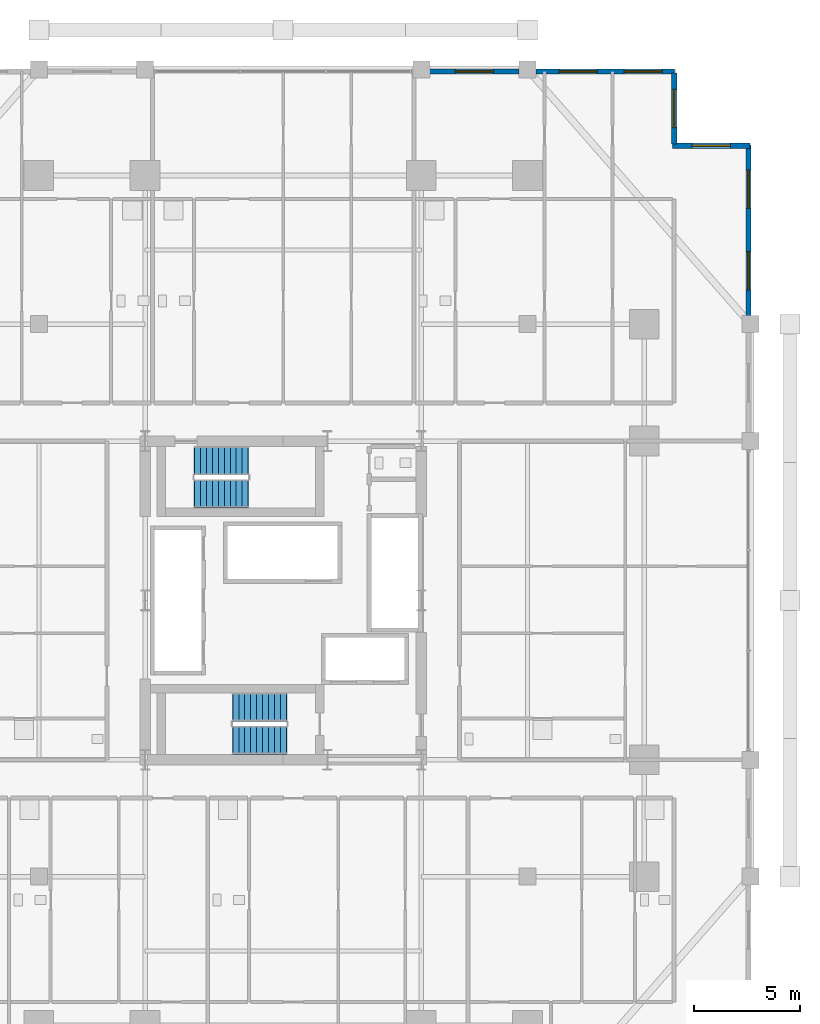
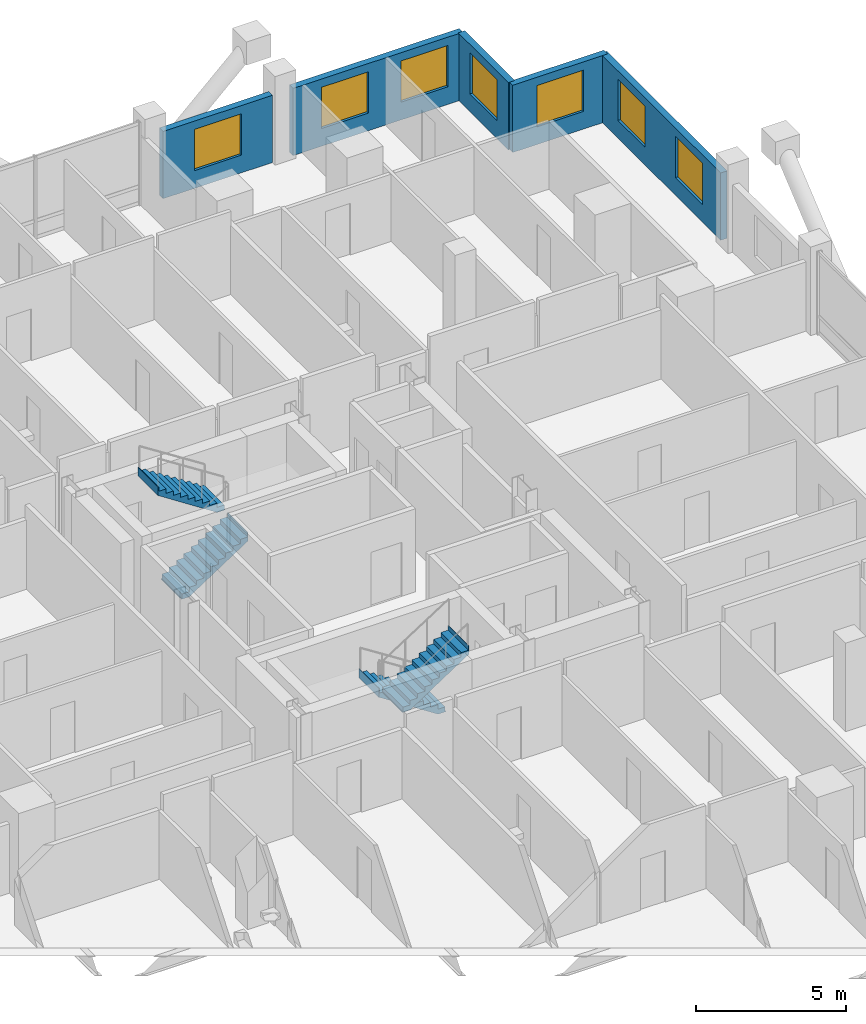
# One storey, part 22 of 24: 7 windows, 5 walls, 4 stair flights, 7 openings, 2 elements without a shape of their own.
"""IFC4 building model written with IfcOpenShell, lengths in metres."""

from ifc_helpers import new_model, si_unit, direction, frame, frame_2d, origin, place, context, subcontext, project, spatial, polyline, rectangle, outline, extrude, material, layer, layer_set, type_object, element, fill, aggregate, save


model = new_model("IFC4")

# Units and contexts
model_context = context("Model", 3, precision=1e-05, world=origin(), true_north=direction((0.0, 1.0)))
body_context = subcontext(model_context, "Body", "Model", "MODEL_VIEW")
ifc_project = project(units=[si_unit("LENGTHUNIT", "METRE"), si_unit("AREAUNIT", "SQUARE_METRE"), si_unit("VOLUMEUNIT", "CUBIC_METRE"), si_unit("PLANEANGLEUNIT", "RADIAN"), si_unit("MASSUNIT", "GRAM", prefix="KILO")], contexts=[model_context])

# Site, building, storey
site_placement = place(None, origin())
site = spatial("IfcSite", under=ifc_project, at=site_placement, CompositionType="ELEMENT")
building_placement = place(site_placement, origin())
building = spatial("IfcBuilding", under=site, at=building_placement, Name="Barlavira Tower and Art Museum", CompositionType="ELEMENT")
storey_placement = place(building_placement, frame((0.0, 0.0, 46.800048828125)))
storey = spatial("IfcBuildingStorey", under=building, at=storey_placement, Name="L10", CompositionType="ELEMENT", Elevation=46.800048828125)

# Wall, openings, windows
ifc_material_1 = material(Name="Precast concrete C40", Category="concrete")
ifc_layer = layer(ifc_material_1, 0.25, Name="Precast concrete C40")
ifc_layer_set = layer_set([ifc_layer], Name="Precast concrete C40")
wall_type = type_object("IfcWallType", Name="Notched Corner Spandrel Wall 250 Precast Concrete C40", PredefinedType="SOLIDWALL", material=ifc_layer_set)
wall_1_placement = place(storey_placement, frame((18.425048828125, 24.89990234375, 0.0), z_axis=(0.0, 0.0, 1.0), x_axis=(-1.0, 0.0, 0.0)))
wall_1 = element("IfcWall", 1, at=wall_1_placement, inside=storey, type_object=wall_type, Name="L10 Coastal Facade Pier Wall CW1-L10-N-1", PredefinedType="SOLIDWALL", context=body_context, shape_type="SweptSolid", body=[
    extrude(rectangle(XDim=6.530029296875, YDim=0.25, at=frame_2d((3.26513671875, 0.0))), origin(), (0.0, 0.0, 1.0), 2.73583984375),
])
opening_1_placement = place(wall_1_placement, frame((0.572998046875, 0.0, 0.719970703125)))
opening_1 = element("IfcOpeningElement", 2, at=opening_1_placement, cuts=wall_1, Name="Opening WN-01", PredefinedType="OPENING", context=body_context, shape_type="SweptSolid", body=[
    extrude(rectangle(XDim=1.800048828125, YDim=1.679931640625, at=frame_2d((0.89990234375, 0.83984375))), frame((0.0, 0.135009765625, 0.0), z_axis=(0.0, -1.0, 0.0), x_axis=(1.0, 0.0, 0.0)), (0.0, 0.0, 1.0), 0.27001953125),
])
opening_2_placement = place(wall_1_placement, frame((3.639892578125, 0.0, 0.719970703125)))
opening_2 = element("IfcOpeningElement", 3, at=opening_2_placement, cuts=wall_1, Name="Opening WN-01", PredefinedType="OPENING", context=body_context, shape_type="SweptSolid", body=[
    extrude(rectangle(XDim=1.800048828125, YDim=1.679931640625, at=frame_2d((0.89990234375, 0.83984375))), frame((0.0, 0.135009765625, 0.0), z_axis=(0.0, -1.0, 0.0), x_axis=(1.0, 0.0, 0.0)), (0.0, 0.0, 1.0), 0.27001953125),
])
ifc_material_2 = material(Name="Low-iron coastal laminated glass", Category="glass")
window_type = type_object("IfcWindowType", Name="Recessed Notch Corner Punch Window 1800x1680", PartitioningType="SINGLE_PANEL", PredefinedType="WINDOW", material=ifc_material_2)
window_1_placement = place(opening_1_placement, origin())
window_1 = element("IfcWindow", 4, at=window_1_placement, inside=storey, type_object=window_type, Name="L10 Punched Facade Window EWP-CW1-L10-N-1-1", OverallHeight=1.679931640625, OverallWidth=1.800048828125, PartitioningType="SINGLE_PANEL", PredefinedType="WINDOW", context=body_context, shape_type="SweptSolid", body=[
    extrude(rectangle(XDim=1.800048828125, YDim=1.679931640625, at=frame_2d((0.89990234375, 0.83984375))), frame((0.0, 0.030029296875, 0.0), z_axis=(0.0, -1.0, 0.0), x_axis=(1.0, 0.0, 0.0)), (0.0, 0.0, 1.0), 0.06005859375),
])
fill(opening_1, window_1)
window_2_placement = place(opening_2_placement, origin())
window_2 = element("IfcWindow", 5, at=window_2_placement, inside=storey, type_object=window_type, Name="L10 Punched Facade Window EWP-CW1-L10-N-1-2", OverallHeight=1.679931640625, OverallWidth=1.800048828125, PartitioningType="SINGLE_PANEL", PredefinedType="WINDOW", context=body_context, shape_type="SweptSolid", body=[
    extrude(rectangle(XDim=1.800048828125, YDim=1.679931640625, at=frame_2d((0.89990234375, 0.83984375))), frame((0.0, 0.030029296875, 0.0), z_axis=(0.0, -1.0, 0.0), x_axis=(1.0, 0.0, 0.0)), (0.0, 0.0, 1.0), 0.06005859375),
])
fill(opening_2, window_2)

# Wall, opening, window
wall_2_placement = place(storey_placement, frame((11.10498046875, 24.89990234375, 0.0), z_axis=(0.0, 0.0, 1.0), x_axis=(-1.0, 0.0, 0.0)))
wall_2 = element("IfcWall", 6, at=wall_2_placement, inside=storey, type_object=wall_type, Name="L10 Coastal Facade Pier Wall CW1-L10-N-2", PredefinedType="SOLIDWALL", context=body_context, shape_type="SweptSolid", body=[
    extrude(rectangle(XDim=4.2099609375, YDim=0.25, at=frame_2d((2.10498046875, 0.0))), origin(), (0.0, 0.0, 1.0), 2.73583984375),
])
opening_3_placement = place(wall_2_placement, frame((1.205078125, 0.0, 0.719970703125)))
opening_3 = element("IfcOpeningElement", 7, at=opening_3_placement, cuts=wall_2, Name="Opening WN-01", PredefinedType="OPENING", context=body_context, shape_type="SweptSolid", body=[
    extrude(rectangle(XDim=1.800048828125, YDim=1.679931640625, at=frame_2d((0.89990234375, 0.83984375))), frame((0.0, 0.135009765625, 0.0), z_axis=(0.0, -1.0, 0.0), x_axis=(1.0, 0.0, 0.0)), (0.0, 0.0, 1.0), 0.27001953125),
])
window_3_placement = place(opening_3_placement, origin())
window_3 = element("IfcWindow", 8, at=window_3_placement, inside=storey, type_object=window_type, Name="L10 Punched Facade Window EWP-CW1-L10-N-2-1", OverallHeight=1.679931640625, OverallWidth=1.800048828125, PartitioningType="SINGLE_PANEL", PredefinedType="WINDOW", context=body_context, shape_type="SweptSolid", body=[
    extrude(rectangle(XDim=1.800048828125, YDim=1.679931640625, at=frame_2d((0.89990234375, 0.83984375))), frame((0.0, 0.030029296875, 0.0), z_axis=(0.0, -1.0, 0.0), x_axis=(1.0, 0.0, 0.0)), (0.0, 0.0, 1.0), 0.06005859375),
])
fill(opening_3, window_3)

# Wall, openings, windows
wall_3_placement = place(storey_placement, frame((21.89990234375, 13.39501953125, 0.0), z_axis=(0.0, 0.0, 1.0), x_axis=(0.0, 1.0, 0.0)))
wall_3 = element("IfcWall", 9, at=wall_3_placement, inside=storey, type_object=wall_type, Name="L10 Coastal Facade Pier Wall CW1-L10-E-5", PredefinedType="SOLIDWALL", context=body_context, shape_type="SweptSolid", body=[
    extrude(rectangle(XDim=8.030029296875, YDim=0.25, at=frame_2d((4.01513671875, 0.0))), origin(), (0.0, 0.0, 1.0), 2.73583984375),
])
opening_4_placement = place(wall_3_placement, frame((1.220947265625, 0.0, 0.719970703125)))
opening_4 = element("IfcOpeningElement", 10, at=opening_4_placement, cuts=wall_3, Name="Opening WN-01", PredefinedType="OPENING", context=body_context, shape_type="SweptSolid", body=[
    extrude(rectangle(XDim=1.800048828125, YDim=1.679931640625, at=frame_2d((0.89990234375, 0.83984375))), frame((0.0, 0.135009765625, 0.0), z_axis=(0.0, -1.0, 0.0), x_axis=(1.0, 0.0, 0.0)), (0.0, 0.0, 1.0), 0.27001953125),
])
opening_5_placement = place(wall_3_placement, frame((5.053955078125, 0.0, 0.719970703125)))
opening_5 = element("IfcOpeningElement", 11, at=opening_5_placement, cuts=wall_3, Name="Opening WN-01", PredefinedType="OPENING", context=body_context, shape_type="SweptSolid", body=[
    extrude(rectangle(XDim=1.800048828125, YDim=1.679931640625, at=frame_2d((0.89990234375, 0.83984375))), frame((0.0, 0.135009765625, 0.0), z_axis=(0.0, -1.0, 0.0), x_axis=(1.0, 0.0, 0.0)), (0.0, 0.0, 1.0), 0.27001953125),
])
window_4_placement = place(opening_4_placement, origin())
window_4 = element("IfcWindow", 12, at=window_4_placement, inside=storey, type_object=window_type, Name="L10 Punched Facade Window EWP-CW1-L10-E-5-1", OverallHeight=1.679931640625, OverallWidth=1.800048828125, PartitioningType="SINGLE_PANEL", PredefinedType="WINDOW", context=body_context, shape_type="SweptSolid", body=[
    extrude(rectangle(XDim=1.800048828125, YDim=1.679931640625, at=frame_2d((0.89990234375, 0.83984375))), frame((0.0, 0.030029296875, 0.0), z_axis=(0.0, -1.0, 0.0), x_axis=(1.0, 0.0, 0.0)), (0.0, 0.0, 1.0), 0.06005859375),
])
fill(opening_4, window_4)
window_5_placement = place(opening_5_placement, origin())
window_5 = element("IfcWindow", 13, at=window_5_placement, inside=storey, type_object=window_type, Name="L10 Punched Facade Window EWP-CW1-L10-E-5-2", OverallHeight=1.679931640625, OverallWidth=1.800048828125, PartitioningType="SINGLE_PANEL", PredefinedType="WINDOW", context=body_context, shape_type="SweptSolid", body=[
    extrude(rectangle(XDim=1.800048828125, YDim=1.679931640625, at=frame_2d((0.89990234375, 0.83984375))), frame((0.0, 0.030029296875, 0.0), z_axis=(0.0, -1.0, 0.0), x_axis=(1.0, 0.0, 0.0)), (0.0, 0.0, 1.0), 0.06005859375),
])
fill(opening_5, window_5)

# Wall, opening, window
wall_4_placement = place(storey_placement, frame((21.97998046875, 21.39990234375, 0.0), z_axis=(0.0, 0.0, 1.0), x_axis=(-1.0, 0.0, 0.0)))
wall_4 = element("IfcWall", 14, at=wall_4_placement, inside=storey, type_object=wall_type, Name="L10 Notch Corner Wall NE1", PredefinedType="SOLIDWALL", context=body_context, shape_type="SweptSolid", body=[
    extrude(rectangle(XDim=3.659912109375, YDim=0.25, at=frame_2d((1.830078125, 0.0))), origin(), (0.0, 0.0, 1.0), 2.73583984375),
])
opening_6_placement = place(wall_4_placement, frame((0.929931640625, 0.0, 0.719970703125)))
opening_6 = element("IfcOpeningElement", 15, at=opening_6_placement, cuts=wall_4, Name="Opening WN-01", PredefinedType="OPENING", context=body_context, shape_type="SweptSolid", body=[
    extrude(rectangle(XDim=1.800048828125, YDim=1.679931640625, at=frame_2d((0.89990234375, 0.83984375))), frame((0.0, 0.135009765625, 0.0), z_axis=(0.0, -1.0, 0.0), x_axis=(1.0, 0.0, 0.0)), (0.0, 0.0, 1.0), 0.27001953125),
])
window_6_placement = place(opening_6_placement, origin())
window_6 = element("IfcWindow", 16, at=window_6_placement, inside=storey, type_object=window_type, Name="L10 Punched Facade Window EW-NTC-L10-NE1-1", OverallHeight=1.679931640625, OverallWidth=1.800048828125, PartitioningType="SINGLE_PANEL", PredefinedType="WINDOW", context=body_context, shape_type="SweptSolid", body=[
    extrude(rectangle(XDim=1.800048828125, YDim=1.679931640625, at=frame_2d((0.89990234375, 0.83984375))), frame((0.0, 0.030029296875, 0.0), z_axis=(0.0, -1.0, 0.0), x_axis=(1.0, 0.0, 0.0)), (0.0, 0.0, 1.0), 0.06005859375),
])
fill(opening_6, window_6)

wall_5_placement = place(storey_placement, frame((18.39990234375, 21.47998046875, 0.0), z_axis=(0.0, 0.0, 1.0), x_axis=(0.0, 1.0, 0.0)))
wall_5 = element("IfcWall", 17, at=wall_5_placement, inside=storey, type_object=wall_type, Name="L10 Notch Corner Wall NE2", PredefinedType="SOLIDWALL", context=body_context, shape_type="SweptSolid", body=[
    extrude(rectangle(XDim=3.340087890625, YDim=0.25, at=frame_2d((1.669921875, 0.0))), origin(), (0.0, 0.0, 1.0), 2.73583984375),
])
opening_7_placement = place(wall_5_placement, frame((0.77001953125, 0.0, 0.719970703125)))
opening_7 = element("IfcOpeningElement", 18, at=opening_7_placement, cuts=wall_5, Name="Opening WN-01", PredefinedType="OPENING", context=body_context, shape_type="SweptSolid", body=[
    extrude(rectangle(XDim=1.800048828125, YDim=1.679931640625, at=frame_2d((0.89990234375, 0.83984375))), frame((0.0, 0.135009765625, 0.0), z_axis=(0.0, -1.0, 0.0), x_axis=(1.0, 0.0, 0.0)), (0.0, 0.0, 1.0), 0.27001953125),
])
window_7_placement = place(opening_7_placement, origin())
window_7 = element("IfcWindow", 19, at=window_7_placement, inside=storey, type_object=window_type, Name="L10 Punched Facade Window EW-NTC-L10-NE2-1", OverallHeight=1.679931640625, OverallWidth=1.800048828125, PartitioningType="SINGLE_PANEL", PredefinedType="WINDOW", context=body_context, shape_type="SweptSolid", body=[
    extrude(rectangle(XDim=1.800048828125, YDim=1.679931640625, at=frame_2d((0.89990234375, 0.83984375))), frame((0.0, 0.030029296875, 0.0), z_axis=(0.0, -1.0, 0.0), x_axis=(1.0, 0.0, 0.0)), (0.0, 0.0, 1.0), 0.06005859375),
])
fill(opening_7, window_7)

# Stair, stair flights
ifc_material_3 = material(Name="Concrete C45", Category="concrete")
stair_type_1 = type_object("IfcStairType", Name="Tower North Dog-Leg Exit Stair Assembly Concrete C45", PredefinedType="TWO_QUARTER_TURN_STAIR", material=ifc_material_3)
stair_1_placement = place(storey_placement, origin())
stair_1 = element("IfcStair", 20, at=stair_1_placement, inside=storey, type_object=stair_type_1, Name="L10 Tower North Exit Stair ST-T2", PredefinedType="TWO_QUARTER_TURN_STAIR")
ifc_material_4 = material(Name="Precast concrete C45", Category="concrete")
stair_flight_type_1 = type_object("IfcStairFlightType", Name="Tower North Dog-Leg Exit Stair Precast Flight 1350 Concrete C45", PredefinedType="STRAIGHT", material=ifc_material_4)
stair_flight_1_placement = place(storey_placement, frame((-4.169921875, 5.02490234375, 0.0), z_axis=(0.0, 0.0, 1.0), x_axis=(1.0, 0.0, 0.0)))
stair_flight_1 = element("IfcStairFlight", 21, at=stair_flight_1_placement, type_object=stair_flight_type_1, Name="ST-T2 flight 1", NumberOfRisers=10, NumberOfTreads=9, PredefinedType="STRAIGHT", RiserHeight=0.18, TreadLength=0.28, context=body_context, shape_type="SweptSolid", body=[
    extrude(outline(polyline([(-0.02490234375, 0.0), (0.0, 0.0), (0.0, 0.179931640625), (0.280029296875, 0.179931640625), (0.280029296875, 0.360107421875), (0.56005859375, 0.360107421875), (0.56005859375, 0.5400390625), (0.840087890625, 0.5400390625), (0.840087890625, 0.719970703125), (1.1201171875, 0.719970703125), (1.1201171875, 0.89990234375), (1.39990234375, 0.89990234375), (1.39990234375, 1.080078125), (1.679931640625, 1.080078125), (1.679931640625, 1.260009765625), (1.9599609375, 1.260009765625), (1.9599609375, 1.43994140625), (2.239990234375, 1.43994140625), (2.239990234375, 1.6201171875), (2.52001953125, 1.6201171875), (2.52001953125, 1.800048828125), (2.544921875, 1.800048828125), (2.544921875, 1.44189453125), (2.52001953125, 1.44189453125), (0.277099609375, -0.02490234375), (-0.02490234375, -0.02490234375), (-0.02490234375, 0.0)])), frame((0.0, 0.675048828125, 0.0), z_axis=(0.0, -1.0, 0.0), x_axis=(1.0, 0.0, 0.0)), (0.0, 0.0, 1.0), 1.35009765625),
])
stair_flight_2_placement = place(storey_placement, frame((-1.64990234375, 6.574951171875, 1.800048828125), z_axis=(0.0, 0.0, 1.0), x_axis=(-1.0, 0.0, 0.0)))
stair_flight_2 = element("IfcStairFlight", 22, at=stair_flight_2_placement, type_object=stair_flight_type_1, Name="ST-T2 flight 2", NumberOfRisers=10, NumberOfTreads=9, PredefinedType="STRAIGHT", RiserHeight=0.18, TreadLength=0.28, context=body_context, shape_type="SweptSolid", body=[
    extrude(outline(polyline([(-0.02490234375, 0.0), (0.0, 0.0), (0.0, 0.179931640625), (0.280029296875, 0.179931640625), (0.280029296875, 0.360107421875), (0.56005859375, 0.360107421875), (0.56005859375, 0.5400390625), (0.840087890625, 0.5400390625), (0.840087890625, 0.719970703125), (1.1201171875, 0.719970703125), (1.1201171875, 0.89990234375), (1.39990234375, 0.89990234375), (1.39990234375, 1.080078125), (1.679931640625, 1.080078125), (1.679931640625, 1.260009765625), (1.9599609375, 1.260009765625), (1.9599609375, 1.43994140625), (2.239990234375, 1.43994140625), (2.239990234375, 1.6201171875), (2.52001953125, 1.6201171875), (2.52001953125, 1.800048828125), (2.544921875, 1.800048828125), (2.544921875, 1.44189453125), (2.52001953125, 1.44189453125), (0.277099609375, -0.02490234375), (-0.02490234375, -0.02490234375), (-0.02490234375, 0.0)])), frame((0.0, 0.675048828125, 0.0), z_axis=(0.0, -1.0, 0.0), x_axis=(1.0, 0.0, 0.0)), (0.0, 0.0, 1.0), 1.35009765625),
])
aggregate(stair_1, [stair_flight_1, stair_flight_2])

stair_type_2 = type_object("IfcStairType", Name="Tower South Dog-Leg Exit Stair Assembly Concrete C45", PredefinedType="TWO_QUARTER_TURN_STAIR", material=ifc_material_3)
stair_2_placement = place(storey_placement, origin())
stair_2 = element("IfcStair", 23, at=stair_2_placement, inside=storey, type_object=stair_type_2, Name="L10 Tower South Exit Stair ST-T1", PredefinedType="TWO_QUARTER_TURN_STAIR")
stair_flight_type_2 = type_object("IfcStairFlightType", Name="Tower South Dog-Leg Exit Stair Precast Flight 1350 Concrete C45", PredefinedType="STRAIGHT", material=ifc_material_4)
stair_flight_3_placement = place(storey_placement, frame((0.14990234375, -5.02490234375, 0.0), z_axis=(0.0, 0.0, 1.0), x_axis=(-1.0, 0.0, 0.0)))
stair_flight_3 = element("IfcStairFlight", 24, at=stair_flight_3_placement, type_object=stair_flight_type_2, Name="ST-T1 flight 1", NumberOfRisers=10, NumberOfTreads=9, PredefinedType="STRAIGHT", RiserHeight=0.18, TreadLength=0.28, context=body_context, shape_type="SweptSolid", body=[
    extrude(outline(polyline([(-0.02490234375, 0.0), (0.0, 0.0), (0.0, 0.179931640625), (0.280029296875, 0.179931640625), (0.280029296875, 0.360107421875), (0.56005859375, 0.360107421875), (0.56005859375, 0.5400390625), (0.840087890625, 0.5400390625), (0.840087890625, 0.719970703125), (1.1201171875, 0.719970703125), (1.1201171875, 0.89990234375), (1.39990234375, 0.89990234375), (1.39990234375, 1.080078125), (1.679931640625, 1.080078125), (1.679931640625, 1.260009765625), (1.9599609375, 1.260009765625), (1.9599609375, 1.43994140625), (2.239990234375, 1.43994140625), (2.239990234375, 1.6201171875), (2.52001953125, 1.6201171875), (2.52001953125, 1.800048828125), (2.544921875, 1.800048828125), (2.544921875, 1.44189453125), (2.52001953125, 1.44189453125), (0.277099609375, -0.02490234375), (-0.02490234375, -0.02490234375), (-0.02490234375, 0.0)])), frame((0.0, 0.675048828125, 0.0), z_axis=(0.0, -1.0, 0.0), x_axis=(1.0, 0.0, 0.0)), (0.0, 0.0, 1.0), 1.35009765625),
])
stair_flight_4_placement = place(storey_placement, frame((-2.3701171875, -6.574951171875, 1.800048828125), z_axis=(0.0, 0.0, 1.0), x_axis=(1.0, 0.0, 0.0)))
stair_flight_4 = element("IfcStairFlight", 25, at=stair_flight_4_placement, type_object=stair_flight_type_2, Name="ST-T1 flight 2", NumberOfRisers=10, NumberOfTreads=9, PredefinedType="STRAIGHT", RiserHeight=0.18, TreadLength=0.28, context=body_context, shape_type="SweptSolid", body=[
    extrude(outline(polyline([(-0.02490234375, 0.0), (0.0, 0.0), (0.0, 0.179931640625), (0.280029296875, 0.179931640625), (0.280029296875, 0.360107421875), (0.56005859375, 0.360107421875), (0.56005859375, 0.5400390625), (0.840087890625, 0.5400390625), (0.840087890625, 0.719970703125), (1.1201171875, 0.719970703125), (1.1201171875, 0.89990234375), (1.39990234375, 0.89990234375), (1.39990234375, 1.080078125), (1.679931640625, 1.080078125), (1.679931640625, 1.260009765625), (1.9599609375, 1.260009765625), (1.9599609375, 1.43994140625), (2.239990234375, 1.43994140625), (2.239990234375, 1.6201171875), (2.52001953125, 1.6201171875), (2.52001953125, 1.800048828125), (2.544921875, 1.800048828125), (2.544921875, 1.44189453125), (2.52001953125, 1.44189453125), (0.277099609375, -0.02490234375), (-0.02490234375, -0.02490234375), (-0.02490234375, 0.0)])), frame((0.0, 0.675048828125, 0.0), z_axis=(0.0, -1.0, 0.0), x_axis=(1.0, 0.0, 0.0)), (0.0, 0.0, 1.0), 1.35009765625),
])
aggregate(stair_2, [stair_flight_3, stair_flight_4])

save(model, "model.ifc")
